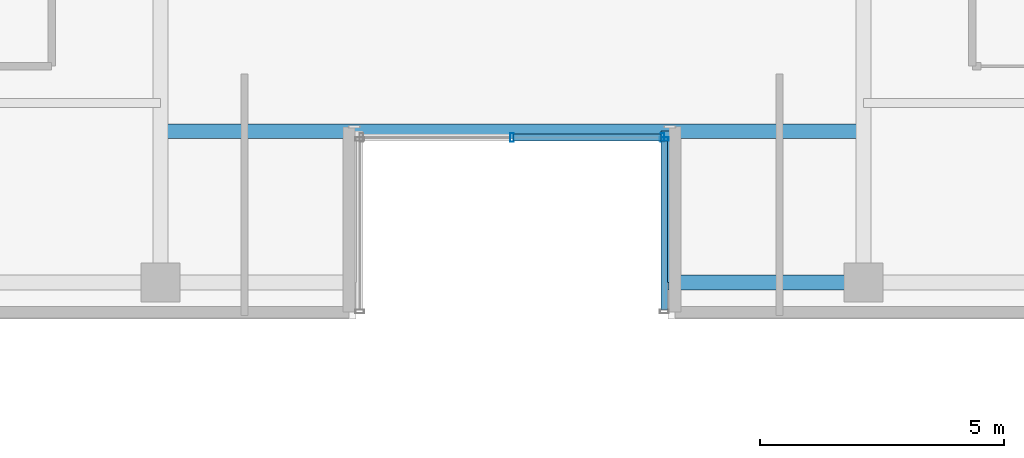
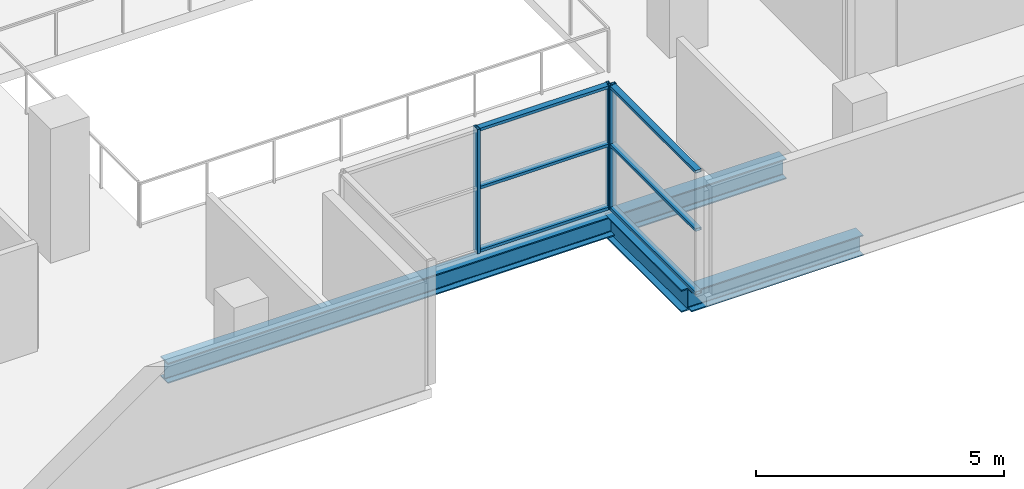
# One storey, part 7 of 24: 9 members, 3 beams, 2 elements without a shape of their own.
"""IFC4 building model written with IfcOpenShell, lengths in metres."""

from ifc_helpers import new_model, si_unit, direction, frame, origin, origin_2d, place, context, subcontext, project, spatial, hollow_rectangle, i_section, extrude, source, transform, mapped, material, layer, layer_set, material_profile, profile_set, type_object, element, aggregate, save


model = new_model("IFC4")

# Units and contexts
model_context = context("Model", 3, precision=1e-05, world=origin(), true_north=direction((0.0, 1.0)))
body_context = subcontext(model_context, "Body", "Model", "MODEL_VIEW")
ifc_project = project(units=[si_unit("LENGTHUNIT", "METRE"), si_unit("AREAUNIT", "SQUARE_METRE"), si_unit("VOLUMEUNIT", "CUBIC_METRE"), si_unit("PLANEANGLEUNIT", "RADIAN"), si_unit("MASSUNIT", "GRAM", prefix="KILO")], contexts=[model_context])

# Site, building, storey
site_placement = place(None, origin())
site = spatial("IfcSite", under=ifc_project, at=site_placement, CompositionType="ELEMENT")
building_placement = place(site_placement, origin())
building = spatial("IfcBuilding", under=site, at=building_placement, Name="Zarnakvel Exchange Tower", CompositionType="ELEMENT")
storey_placement = place(building_placement, frame((0.0, 0.0, 119.800048828125)))
storey = spatial("IfcBuildingStorey", under=building, at=storey_placement, Name="L33", CompositionType="ELEMENT", Elevation=119.800048828125)

# Beams
ifc_material_1 = material(Name="Steel S355", Category="steel")
ifc_material_profile_1 = material_profile(ifc_material_1, i_section(OverallWidth=0.300048828125, OverallDepth=0.550048828125, WebThickness=0.014892578125, FlangeThickness=0.029052734375, FilletRadius=0.027099609375, at=origin_2d()))
ifc_profile_set_1 = profile_set([ifc_material_profile_1], Name="Steel S355")
beam_type_1 = type_object("IfcBeamType", Name="G-05", PredefinedType="BEAM", material=ifc_profile_set_1)
beam_1_placement = place(storey_placement, frame((3.199951171875, -16.949951171875, -0.5), z_axis=(0.0, 1.0, 0.0), x_axis=(-1.0, 0.0, 0.0)))
element("IfcBeam", 1, at=beam_1_placement, inside=storey, type_object=beam_type_1, Name="L33 South Slot East Cheek Beam", PredefinedType="BEAM", context=body_context, shape_type="SweptSolid", body=[
    extrude(i_section(OverallWidth=0.300048828125, OverallDepth=0.550048828125, WebThickness=0.014892578125, FlangeThickness=0.029052734375, FilletRadius=0.027099609375, at=origin_2d()), origin(), (0.0, 0.0, 1.0), 3.099853515625),
])
ifc_material_profile_2 = material_profile(ifc_material_1, i_section(OverallWidth=0.300048828125, OverallDepth=0.5, WebThickness=0.014404296875, FlangeThickness=0.028076171875, FilletRadius=0.027099609375, at=origin_2d()))
ifc_profile_set_2 = profile_set([ifc_material_profile_2], Name="Steel S355")
beam_type_2 = type_object("IfcBeamType", Name="SP-02", PredefinedType="SPANDREL", material=ifc_profile_set_2)
beam_2_placement = place(storey_placement, frame((3.199951171875, -16.949951171875, -0.47509765625), z_axis=(1.0, 0.0, 0.0), x_axis=(0.0, 1.0, 0.0)))
element("IfcBeam", 2, at=beam_2_placement, inside=storey, type_object=beam_type_2, Name="L33 South Slot East Jamb Spandrel", PredefinedType="SPANDREL", context=body_context, shape_type="SweptSolid", body=[
    extrude(i_section(OverallWidth=0.300048828125, OverallDepth=0.5, WebThickness=0.014404296875, FlangeThickness=0.028076171875, FilletRadius=0.027099609375, at=origin_2d()), origin(), (0.0, 0.0, 1.0), 4.0),
])
beam_3_placement = place(storey_placement, frame((-7.199951171875, -13.85009765625, -0.47509765625), z_axis=(1.0, 0.0, 0.0), x_axis=(0.0, 1.0, 0.0)))
element("IfcBeam", 3, at=beam_3_placement, inside=storey, type_object=beam_type_2, Name="L33 South Slot Head Trimmer Girder", PredefinedType="SPANDREL", context=body_context, shape_type="SweptSolid", body=[
    extrude(i_section(OverallWidth=0.300048828125, OverallDepth=0.5, WebThickness=0.014404296875, FlangeThickness=0.028076171875, FilletRadius=0.027099609375, at=origin_2d()), origin(), (0.0, 0.0, 1.0), 14.39990234375),
])

# Curtain wall, members
ifc_material_2 = material(Name="Architectural Bronze Anodised Aluminium", Category="aluminium")
ifc_layer = layer(ifc_material_2, 0.179931640625)
ifc_layer_set = layer_set([ifc_layer], Name="Architectural Bronze Anodised Aluminium")
curtain_wall_type = type_object("IfcCurtainWallType", Name="CW-05", PredefinedType="NOTDEFINED", material=ifc_layer_set)
curtain_wall_1_placement = place(storey_placement, origin())
curtain_wall_1 = element("IfcCurtainWall", 4, at=curtain_wall_1_placement, inside=storey, type_object=curtain_wall_type, Name="L33 Curtain Wall CW-L33-SLE (CW-05)", PredefinedType="NOTDEFINED")
ifc_material_profile_3 = material_profile(ifc_material_2, hollow_rectangle(XDim=0.139892578125, YDim=0.070068359375, WallThickness=0.00390625, at=origin_2d()))
ifc_profile_set_3 = profile_set([ifc_material_profile_3], Name="Architectural Bronze Anodised Aluminium")
member_type_1 = type_object("IfcMemberType", Name="CWT-05", PredefinedType="USERDEFINED", material=ifc_profile_set_3)
shared_shape_1 = source(origin(), body_context, "Body", "SweptSolid", [
    extrude(hollow_rectangle(XDim=0.139892578125, YDim=0.070068359375, WallThickness=0.00390625, at=origin_2d()), origin(), (0.0, 0.0, 1.0), 3.4599609375),
])
member_1_placement = place(storey_placement, frame((3.1201171875, -14.050048828125, 0.034912109375), z_axis=(0.0, -1.0, 0.0), x_axis=(1.0, 0.0, 0.0)))
member_1 = element("IfcMember", 5, at=member_1_placement, type_object=member_type_1, Name="CW-05 transom 1.1", ObjectType="TRANSOM", PredefinedType="USERDEFINED", context=body_context, shape_type="MappedRepresentation", body=[
    mapped(shared_shape_1, transform((0.0, 0.0, 0.0), x_axis=(1.0, 0.0, 0.0), y_axis=(0.0, 1.0, 0.0), z_axis=(0.0, 0.0, 1.0), scale=1.0)),
])
member_2_placement = place(storey_placement, frame((3.1201171875, -14.050048828125, 1.588623046875), z_axis=(0.0, -1.0, 0.0), x_axis=(1.0, 0.0, 0.0)))
member_2 = element("IfcMember", 6, at=member_2_placement, type_object=member_type_1, Name="CW-05 transom 1.2", ObjectType="TRANSOM", PredefinedType="USERDEFINED", context=body_context, shape_type="MappedRepresentation", body=[
    mapped(shared_shape_1, transform((0.0, 0.0, 0.0), x_axis=(1.0, 0.0, 0.0), y_axis=(0.0, 1.0, 0.0), z_axis=(0.0, 0.0, 1.0), scale=1.0)),
])
member_3_placement = place(storey_placement, frame((3.1201171875, -14.050048828125, 3.02001953125), z_axis=(0.0, -1.0, 0.0), x_axis=(1.0, 0.0, 0.0)))
member_3 = element("IfcMember", 7, at=member_3_placement, type_object=member_type_1, Name="CW-05 transom 1.3", ObjectType="TRANSOM", PredefinedType="USERDEFINED", context=body_context, shape_type="MappedRepresentation", body=[
    mapped(shared_shape_1, transform((0.0, 0.0, 0.0), x_axis=(1.0, 0.0, 0.0), y_axis=(0.0, 1.0, 0.0), z_axis=(0.0, 0.0, 1.0), scale=1.0)),
])

curtain_wall_2_placement = place(storey_placement, origin())
curtain_wall_2 = element("IfcCurtainWall", 8, at=curtain_wall_2_placement, inside=storey, type_object=curtain_wall_type, Name="L33 Curtain Wall CW-L33-SLB (CW-05)", PredefinedType="NOTDEFINED")
shared_shape_2 = source(origin(), body_context, "Body", "SweptSolid", [
    extrude(hollow_rectangle(XDim=0.139892578125, YDim=0.070068359375, WallThickness=0.00390625, at=origin_2d()), origin(), (0.0, 0.0, 1.0), 3.01513671875),
])
member_4_placement = place(storey_placement, frame((0.034912109375, -13.97998046875, 0.034912109375), z_axis=(1.0, 0.0, 0.0), x_axis=(0.0, 1.0, 0.0)))
member_4 = element("IfcMember", 9, at=member_4_placement, type_object=member_type_1, Name="CW-05 transom 2.1", ObjectType="TRANSOM", PredefinedType="USERDEFINED", context=body_context, shape_type="MappedRepresentation", body=[
    mapped(shared_shape_2, transform((0.0, 0.0, 0.0), x_axis=(1.0, 0.0, 0.0), y_axis=(0.0, 1.0, 0.0), z_axis=(0.0, 0.0, 1.0), scale=1.0)),
])
member_5_placement = place(storey_placement, frame((0.034912109375, -13.97998046875, 1.588623046875), z_axis=(1.0, 0.0, 0.0), x_axis=(0.0, 1.0, 0.0)))
member_5 = element("IfcMember", 10, at=member_5_placement, type_object=member_type_1, Name="CW-05 transom 2.2", ObjectType="TRANSOM", PredefinedType="USERDEFINED", context=body_context, shape_type="MappedRepresentation", body=[
    mapped(shared_shape_2, transform((0.0, 0.0, 0.0), x_axis=(1.0, 0.0, 0.0), y_axis=(0.0, 1.0, 0.0), z_axis=(0.0, 0.0, 1.0), scale=1.0)),
])
member_6_placement = place(storey_placement, frame((0.034912109375, -13.97998046875, 3.02001953125), z_axis=(1.0, 0.0, 0.0), x_axis=(0.0, 1.0, 0.0)))
member_6 = element("IfcMember", 11, at=member_6_placement, type_object=member_type_1, Name="CW-05 transom 2.3", ObjectType="TRANSOM", PredefinedType="USERDEFINED", context=body_context, shape_type="MappedRepresentation", body=[
    mapped(shared_shape_2, transform((0.0, 0.0, 0.0), x_axis=(1.0, 0.0, 0.0), y_axis=(0.0, 1.0, 0.0), z_axis=(0.0, 0.0, 1.0), scale=1.0)),
])
ifc_material_profile_4 = material_profile(ifc_material_2, hollow_rectangle(XDim=0.179931640625, YDim=0.070068359375, WallThickness=0.00390625, at=origin_2d()))
ifc_profile_set_4 = profile_set([ifc_material_profile_4], Name="Architectural Bronze Anodised Aluminium")
member_type_2 = type_object("IfcMemberType", Name="CWM-05", PredefinedType="MULLION", material=ifc_profile_set_4)
shared_shape_3 = source(origin(), body_context, "Body", "SweptSolid", [
    extrude(hollow_rectangle(XDim=0.179931640625, YDim=0.070068359375, WallThickness=0.00390625, at=origin_2d()), origin(), (0.0, 0.0, 1.0), 3.054931640625),
])
member_7_placement = place(storey_placement, frame((0.0, -13.97998046875, 0.0), z_axis=(0.0, 0.0, 1.0), x_axis=(0.0, 1.0, 0.0)))
member_7 = element("IfcMember", 12, at=member_7_placement, type_object=member_type_2, Name="CW-05 mullion 2", PredefinedType="MULLION", context=body_context, shape_type="MappedRepresentation", body=[
    mapped(shared_shape_3, transform((0.0, 0.0, 0.0), x_axis=(1.0, 0.0, 0.0), y_axis=(0.0, 1.0, 0.0), z_axis=(0.0, 0.0, 1.0), scale=1.0)),
])
member_8_placement = place(storey_placement, frame((3.0849609375, -13.97998046875, 0.0), z_axis=(0.0, 0.0, 1.0), x_axis=(0.0, 1.0, 0.0)))
member_8 = element("IfcMember", 13, at=member_8_placement, type_object=member_type_2, Name="CW-05 mullion 3", PredefinedType="MULLION", context=body_context, shape_type="MappedRepresentation", body=[
    mapped(shared_shape_3, transform((0.0, 0.0, 0.0), x_axis=(1.0, 0.0, 0.0), y_axis=(0.0, 1.0, 0.0), z_axis=(0.0, 0.0, 1.0), scale=1.0)),
])
aggregate(curtain_wall_2, [member_7, member_8, member_4, member_5, member_6])

# Member
member_9_placement = place(storey_placement, frame((3.1201171875, -14.014892578125, 0.0), z_axis=(0.0, 0.0, 1.0), x_axis=(1.0, 0.0, 0.0)))
member_9 = element("IfcMember", 14, at=member_9_placement, type_object=member_type_2, Name="CW-05 mullion 1", PredefinedType="MULLION", context=body_context, shape_type="MappedRepresentation", body=[
    mapped(shared_shape_3, transform((0.0, 0.0, 0.0), x_axis=(1.0, 0.0, 0.0), y_axis=(0.0, 1.0, 0.0), z_axis=(0.0, 0.0, 1.0), scale=1.0)),
])

aggregate(curtain_wall_1, [member_9, member_1, member_2, member_3])

save(model, "model.ifc")
